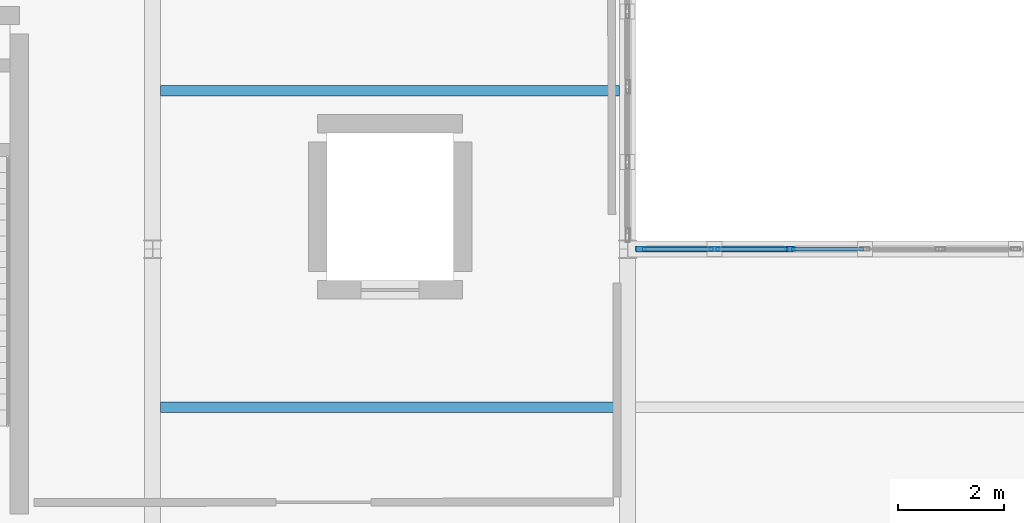
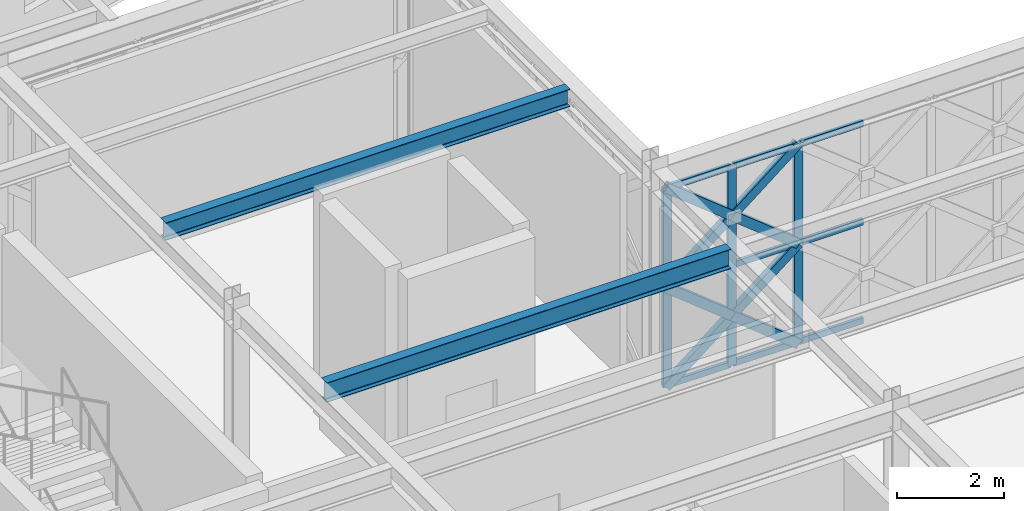
# One storey, part 38 of 166: 18 members, 2 beams, 1 element without a shape of its own.
"""IFC4 building model written with IfcOpenShell, lengths in metres."""

from ifc_helpers import new_model, si_unit, direction, frame, origin, origin_2d, place, context, subcontext, project, spatial, hollow_rectangle, i_section, extrude, material, material_profile, profile_set, type_object, element, aggregate, save


model = new_model("IFC4")

# Units and contexts
model_context = context("Model", 3, precision=1e-05, world=origin(), true_north=direction((0.0, 1.0)))
body_context = subcontext(model_context, "Body", "Model", "MODEL_VIEW")
ifc_project = project(units=[si_unit("LENGTHUNIT", "METRE"), si_unit("AREAUNIT", "SQUARE_METRE"), si_unit("VOLUMEUNIT", "CUBIC_METRE"), si_unit("PLANEANGLEUNIT", "RADIAN"), si_unit("MASSUNIT", "GRAM", prefix="KILO")], contexts=[model_context])

# Site, building, storey
site_placement = place(None, origin())
site = spatial("IfcSite", under=ifc_project, at=site_placement, CompositionType="ELEMENT")
building_placement = place(site_placement, origin())
building = spatial("IfcBuilding", under=site, at=building_placement, Name="Haizhuo Lancet Aquarium", CompositionType="ELEMENT")
storey_placement = place(building_placement, frame((0.0, 0.0, 5.39990234375)))
storey = spatial("IfcBuildingStorey", under=building, at=storey_placement, Name="L01", CompositionType="ELEMENT", Elevation=5.39990234375)

# Curtain wall, members
ifc_material_1 = material(Name="Aluminium 6063-T6", Category="aluminium")
curtain_wall_type = type_object("IfcCurtainWallType", Name="CWO-8560x4550", PredefinedType="NOTDEFINED", material=ifc_material_1)
curtain_wall_placement = place(storey_placement, origin())
curtain_wall = element("IfcCurtainWall", 1, at=curtain_wall_placement, inside=storey, type_object=curtain_wall_type, Name="L01 curtain wall CW-V4-L01-094", PredefinedType="NOTDEFINED")
ifc_material_profile_1 = material_profile(ifc_material_1, hollow_rectangle(XDim=0.06494140625, YDim=0.179931640625, WallThickness=0.00390625, at=origin_2d()), Name="ALU-M 65x180x4")
ifc_profile_set_1 = profile_set([ifc_material_profile_1], Name="Aluminium 6063-T6")
member_type_1 = type_object("IfcMemberType", Name="CW-MUL-1", PredefinedType="MULLION", material=ifc_profile_set_1)
member_1_placement = place(storey_placement, frame((9.2529296875, -36.0, 0.0), z_axis=(0.0, 0.0, 1.0), x_axis=(0.0, 1.0, 0.0)))
member_1 = element("IfcMember", 2, at=member_1_placement, type_object=member_type_1, Name="CWO-85x45 mullion 1", PredefinedType="MULLION", context=body_context, shape_type="SweptSolid", body=[
    extrude(hollow_rectangle(XDim=0.06494140625, YDim=0.179931640625, WallThickness=0.00390625, at=origin_2d()), origin(), (0.0, 0.0, 1.0), 4.552001953125),
])
member_2_placement = place(storey_placement, frame((10.64697265625, -36.0, 0.0), z_axis=(0.0, 0.0, 1.0), x_axis=(0.0, 1.0, 0.0)))
member_2 = element("IfcMember", 3, at=member_2_placement, type_object=member_type_1, Name="CWO-85x45 mullion 2", PredefinedType="MULLION", context=body_context, shape_type="SweptSolid", body=[
    extrude(hollow_rectangle(XDim=0.06494140625, YDim=0.179931640625, WallThickness=0.00390625, at=origin_2d()), origin(), (0.0, 0.0, 1.0), 4.552001953125),
])
member_3_placement = place(storey_placement, frame((12.072998046875, -36.0, 0.0), z_axis=(0.0, 0.0, 1.0), x_axis=(0.0, 1.0, 0.0)))
member_3 = element("IfcMember", 4, at=member_3_placement, type_object=member_type_1, Name="CWO-85x45 mullion 3", PredefinedType="MULLION", context=body_context, shape_type="SweptSolid", body=[
    extrude(hollow_rectangle(XDim=0.06494140625, YDim=0.179931640625, WallThickness=0.00390625, at=origin_2d()), origin(), (0.0, 0.0, 1.0), 4.552001953125),
])
ifc_material_profile_2 = material_profile(ifc_material_1, hollow_rectangle(XDim=0.06494140625, YDim=0.139892578125, WallThickness=0.00390625, at=origin_2d()), Name="ALU-T 65x140x4")
ifc_profile_set_2 = profile_set([ifc_material_profile_2], Name="Aluminium 6063-T6")
member_type_2 = type_object("IfcMemberType", Name="CW-TRN-1", PredefinedType="NOTDEFINED", material=ifc_profile_set_2)
member_4_placement = place(storey_placement, frame((9.284912109375, -36.0, 0.033203125), z_axis=(1.0, 0.0, 0.0), x_axis=(0.0, 1.0, 0.0)))
member_4 = element("IfcMember", 5, at=member_4_placement, type_object=member_type_2, Name="CWO-85x45 transom 1.1", ObjectType="TRANSOM", PredefinedType="USERDEFINED", context=body_context, shape_type="SweptSolid", body=[
    extrude(hollow_rectangle(XDim=0.06494140625, YDim=0.139892578125, WallThickness=0.00390625, at=origin_2d()), origin(), (0.0, 0.0, 1.0), 1.3291015625),
])
member_5_placement = place(storey_placement, frame((9.284912109375, -36.0, 2.276123046875), z_axis=(1.0, 0.0, 0.0), x_axis=(0.0, 1.0, 0.0)))
member_5 = element("IfcMember", 6, at=member_5_placement, type_object=member_type_2, Name="CWO-85x45 transom 1.2", ObjectType="TRANSOM", PredefinedType="USERDEFINED", context=body_context, shape_type="SweptSolid", body=[
    extrude(hollow_rectangle(XDim=0.06494140625, YDim=0.139892578125, WallThickness=0.00390625, at=origin_2d()), origin(), (0.0, 0.0, 1.0), 1.3291015625),
])
member_6_placement = place(storey_placement, frame((9.284912109375, -36.0, 4.51904296875), z_axis=(1.0, 0.0, 0.0), x_axis=(0.0, 1.0, 0.0)))
member_6 = element("IfcMember", 7, at=member_6_placement, type_object=member_type_2, Name="CWO-85x45 transom 1.3", ObjectType="TRANSOM", PredefinedType="USERDEFINED", context=body_context, shape_type="SweptSolid", body=[
    extrude(hollow_rectangle(XDim=0.06494140625, YDim=0.139892578125, WallThickness=0.00390625, at=origin_2d()), origin(), (0.0, 0.0, 1.0), 1.3291015625),
])
member_7_placement = place(storey_placement, frame((10.678955078125, -36.0, 0.033203125), z_axis=(1.0, 0.0, 0.0), x_axis=(0.0, 1.0, 0.0)))
member_7 = element("IfcMember", 8, at=member_7_placement, type_object=member_type_2, Name="CWO-85x45 transom 2.1", ObjectType="TRANSOM", PredefinedType="USERDEFINED", context=body_context, shape_type="SweptSolid", body=[
    extrude(hollow_rectangle(XDim=0.06494140625, YDim=0.139892578125, WallThickness=0.00390625, at=origin_2d()), origin(), (0.0, 0.0, 1.0), 1.362060546875),
])
member_8_placement = place(storey_placement, frame((10.678955078125, -36.0, 2.276123046875), z_axis=(1.0, 0.0, 0.0), x_axis=(0.0, 1.0, 0.0)))
member_8 = element("IfcMember", 9, at=member_8_placement, type_object=member_type_2, Name="CWO-85x45 transom 2.2", ObjectType="TRANSOM", PredefinedType="USERDEFINED", context=body_context, shape_type="SweptSolid", body=[
    extrude(hollow_rectangle(XDim=0.06494140625, YDim=0.139892578125, WallThickness=0.00390625, at=origin_2d()), origin(), (0.0, 0.0, 1.0), 1.362060546875),
])
member_9_placement = place(storey_placement, frame((10.678955078125, -36.0, 4.51904296875), z_axis=(1.0, 0.0, 0.0), x_axis=(0.0, 1.0, 0.0)))
member_9 = element("IfcMember", 10, at=member_9_placement, type_object=member_type_2, Name="CWO-85x45 transom 2.3", ObjectType="TRANSOM", PredefinedType="USERDEFINED", context=body_context, shape_type="SweptSolid", body=[
    extrude(hollow_rectangle(XDim=0.06494140625, YDim=0.139892578125, WallThickness=0.00390625, at=origin_2d()), origin(), (0.0, 0.0, 1.0), 1.362060546875),
])
member_10_placement = place(storey_placement, frame((12.10595703125, -36.0, 0.033203125), z_axis=(1.0, 0.0, 0.0), x_axis=(0.0, 1.0, 0.0)))
member_10 = element("IfcMember", 11, at=member_10_placement, type_object=member_type_2, Name="CWO-85x45 transom 3.1", ObjectType="TRANSOM", PredefinedType="USERDEFINED", context=body_context, shape_type="SweptSolid", body=[
    extrude(hollow_rectangle(XDim=0.06494140625, YDim=0.139892578125, WallThickness=0.00390625, at=origin_2d()), origin(), (0.0, 0.0, 1.0), 1.362060546875),
])
member_11_placement = place(storey_placement, frame((12.10595703125, -36.0, 2.276123046875), z_axis=(1.0, 0.0, 0.0), x_axis=(0.0, 1.0, 0.0)))
member_11 = element("IfcMember", 12, at=member_11_placement, type_object=member_type_2, Name="CWO-85x45 transom 3.2", ObjectType="TRANSOM", PredefinedType="USERDEFINED", context=body_context, shape_type="SweptSolid", body=[
    extrude(hollow_rectangle(XDim=0.06494140625, YDim=0.139892578125, WallThickness=0.00390625, at=origin_2d()), origin(), (0.0, 0.0, 1.0), 1.362060546875),
])
member_12_placement = place(storey_placement, frame((12.10595703125, -36.0, 4.51904296875), z_axis=(1.0, 0.0, 0.0), x_axis=(0.0, 1.0, 0.0)))
member_12 = element("IfcMember", 13, at=member_12_placement, type_object=member_type_2, Name="CWO-85x45 transom 3.3", ObjectType="TRANSOM", PredefinedType="USERDEFINED", context=body_context, shape_type="SweptSolid", body=[
    extrude(hollow_rectangle(XDim=0.06494140625, YDim=0.139892578125, WallThickness=0.00390625, at=origin_2d()), origin(), (0.0, 0.0, 1.0), 1.362060546875),
])
aggregate(curtain_wall, [member_1, member_2, member_3, member_4, member_5, member_6, member_7, member_8, member_9, member_10, member_11, member_12])

# Beams
ifc_material_2 = material(Name="Steel S355", Category="steel")
ifc_material_profile_3 = material_profile(ifc_material_2, i_section(OverallWidth=0.199951171875, OverallDepth=0.39990234375, WebThickness=0.008056640625, FlangeThickness=0.012939453125, FilletRadius=0.01611328125, at=origin_2d()), Name="HN 400x200x8x13")
ifc_profile_set_3 = profile_set([ifc_material_profile_3], Name="Steel S355")
beam_type_1 = type_object("IfcBeamType", Name="JST-ST-HN400", PredefinedType="JOIST", material=ifc_profile_set_3)
beam_1_placement = place(storey_placement, frame((0.14990234375, -33.0, 4.940185546875), z_axis=(1.0, 0.0, 0.0), x_axis=(0.0, 1.0, 0.0)))
element("IfcBeam", 14, at=beam_1_placement, inside=storey, type_object=beam_type_1, Name="L01 V4 secondary floor joist 15", PredefinedType="JOIST", context=body_context, shape_type="SweptSolid", body=[
    extrude(i_section(OverallWidth=0.199951171875, OverallDepth=0.39990234375, WebThickness=0.008056640625, FlangeThickness=0.012939453125, FilletRadius=0.01611328125, at=origin_2d()), origin(), (0.0, 0.0, 1.0), 8.7001953125),
])
ifc_material_profile_4 = material_profile(ifc_material_2, i_section(OverallWidth=0.199951171875, OverallDepth=0.449951171875, WebThickness=0.009033203125, FlangeThickness=0.013916015625, FilletRadius=0.01806640625, at=origin_2d()), Name="HN 450x200x9x14")
ifc_profile_set_4 = profile_set([ifc_material_profile_4], Name="Steel S355")
beam_type_2 = type_object("IfcBeamType", Name="JST-ST-HN450", PredefinedType="JOIST", material=ifc_profile_set_4)
beam_2_placement = place(storey_placement, frame((0.14990234375, -39.0, 4.9150390625), z_axis=(1.0, 0.0, 0.0), x_axis=(0.0, 1.0, 0.0)))
element("IfcBeam", 15, at=beam_2_placement, inside=storey, type_object=beam_type_2, Name="L01 V4 secondary floor joist 14", PredefinedType="JOIST", context=body_context, shape_type="SweptSolid", body=[
    extrude(i_section(OverallWidth=0.199951171875, OverallDepth=0.449951171875, WebThickness=0.009033203125, FlangeThickness=0.013916015625, FilletRadius=0.01806640625, at=origin_2d()), origin(), (0.0, 0.0, 1.0), 8.7001953125),
])

# Members
ifc_material_profile_5 = material_profile(ifc_material_2, hollow_rectangle(XDim=0.1201171875, YDim=0.199951171875, WallThickness=0.008056640625, at=origin_2d()), Name="RHS 120x200x8")
ifc_profile_set_5 = profile_set([ifc_material_profile_5], Name="Steel S355")
member_type_3 = type_object("IfcMemberType", Name="MEM-LB-RHS120x200", PredefinedType="BRACE", material=ifc_profile_set_5)
member_13_placement = place(storey_placement, frame((9.219970703125, -36.0, 0.0), z_axis=(0.781709971476, 0.0, 0.623642141372), x_axis=(0.0, 1.0, 0.0)))
element("IfcMember", 16, at=member_13_placement, inside=storey, type_object=member_type_3, Name="Gothic lancet continuous diagonal brace CW-V4-L01-094 1A", PredefinedType="BRACE", context=body_context, shape_type="SweptSolid", body=[
    extrude(hollow_rectangle(XDim=0.1201171875, YDim=0.199951171875, WallThickness=0.008056640625, at=origin_2d()), origin(), (0.0, 0.0, 1.0), 3.649658203125),
])
member_14_placement = place(storey_placement, frame((12.072998046875, -36.0, 0.0), z_axis=(-0.781781404101, 0.0, 0.623552592972), x_axis=(0.0, -1.0, 0.0)))
element("IfcMember", 17, at=member_14_placement, inside=storey, type_object=member_type_3, Name="Gothic lancet split diagonal brace CW-V4-L01-094 1B1", PredefinedType="BRACE", context=body_context, shape_type="SweptSolid", body=[
    extrude(hollow_rectangle(XDim=0.1201171875, YDim=0.199951171875, WallThickness=0.008056640625, at=origin_2d()), origin(), (0.0, 0.0, 1.0), 1.825439453125),
])
member_15_placement = place(storey_placement, frame((10.64599609375, -36.0, 1.13818359375), z_axis=(-0.781638492735, 0.0, 0.623731726526), x_axis=(0.0, -1.0, 0.0)))
element("IfcMember", 18, at=member_15_placement, inside=storey, type_object=member_type_3, Name="Gothic lancet split diagonal brace CW-V4-L01-094 1B2", PredefinedType="BRACE", context=body_context, shape_type="SweptSolid", body=[
    extrude(hollow_rectangle(XDim=0.1201171875, YDim=0.199951171875, WallThickness=0.008056640625, at=origin_2d()), origin(), (0.0, 0.0, 1.0), 1.824462890625),
])
member_16_placement = place(storey_placement, frame((9.219970703125, -36.0, 2.276123046875), z_axis=(0.781742582524, 0.0, 0.623601262561), x_axis=(0.0, 1.0, 0.0)))
element("IfcMember", 19, at=member_16_placement, inside=storey, type_object=member_type_3, Name="Gothic lancet continuous diagonal brace CW-V4-L01-094 2A", PredefinedType="BRACE", context=body_context, shape_type="SweptSolid", body=[
    extrude(hollow_rectangle(XDim=0.1201171875, YDim=0.199951171875, WallThickness=0.008056640625, at=origin_2d()), origin(), (0.0, 0.0, 1.0), 3.649658203125),
])
member_17_placement = place(storey_placement, frame((12.072998046875, -36.0, 2.276123046875), z_axis=(-0.781846607014, 0.0, 0.623470835807), x_axis=(0.0, -1.0, 0.0)))
element("IfcMember", 20, at=member_17_placement, inside=storey, type_object=member_type_3, Name="Gothic lancet split diagonal brace CW-V4-L01-094 2B1", PredefinedType="BRACE", context=body_context, shape_type="SweptSolid", body=[
    extrude(hollow_rectangle(XDim=0.1201171875, YDim=0.199951171875, WallThickness=0.008056640625, at=origin_2d()), origin(), (0.0, 0.0, 1.0), 1.8251953125),
])
member_18_placement = place(storey_placement, frame((10.64599609375, -36.0, 3.4140625), z_axis=(-0.781638492735, 0.0, 0.623731726526), x_axis=(0.0, -1.0, 0.0)))
element("IfcMember", 21, at=member_18_placement, inside=storey, type_object=member_type_3, Name="Gothic lancet split diagonal brace CW-V4-L01-094 2B2", PredefinedType="BRACE", context=body_context, shape_type="SweptSolid", body=[
    extrude(hollow_rectangle(XDim=0.1201171875, YDim=0.199951171875, WallThickness=0.008056640625, at=origin_2d()), origin(), (0.0, 0.0, 1.0), 1.824462890625),
])

save(model, "model.ifc")
